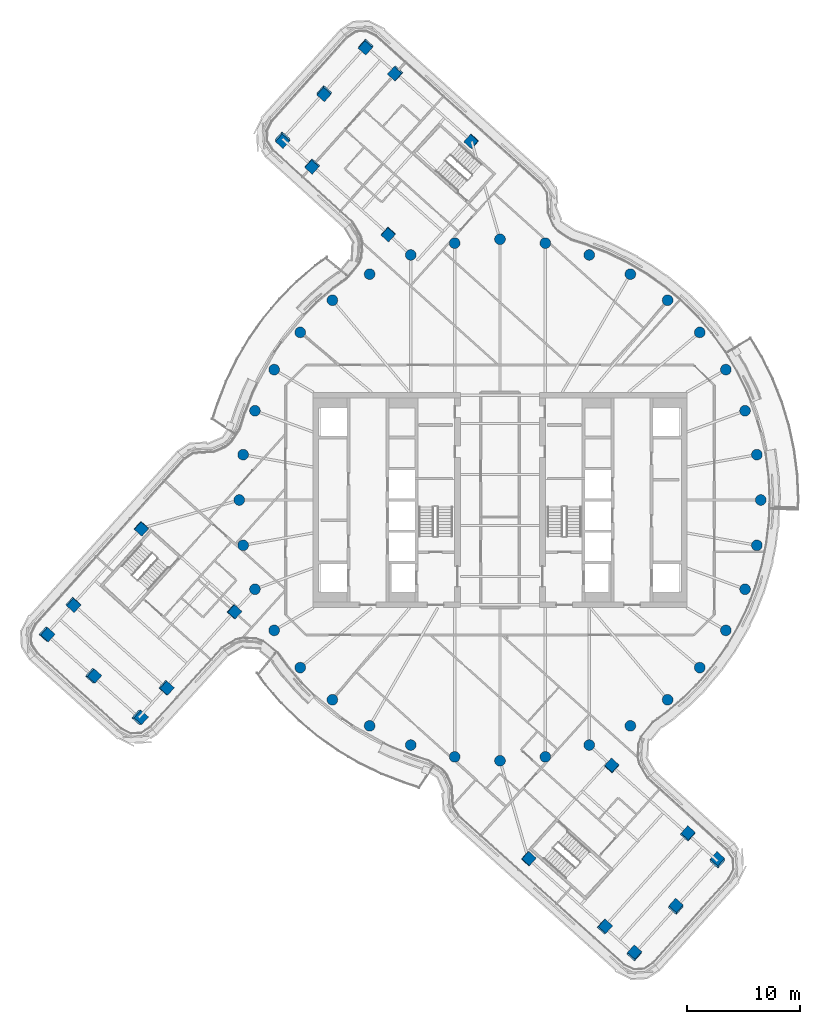
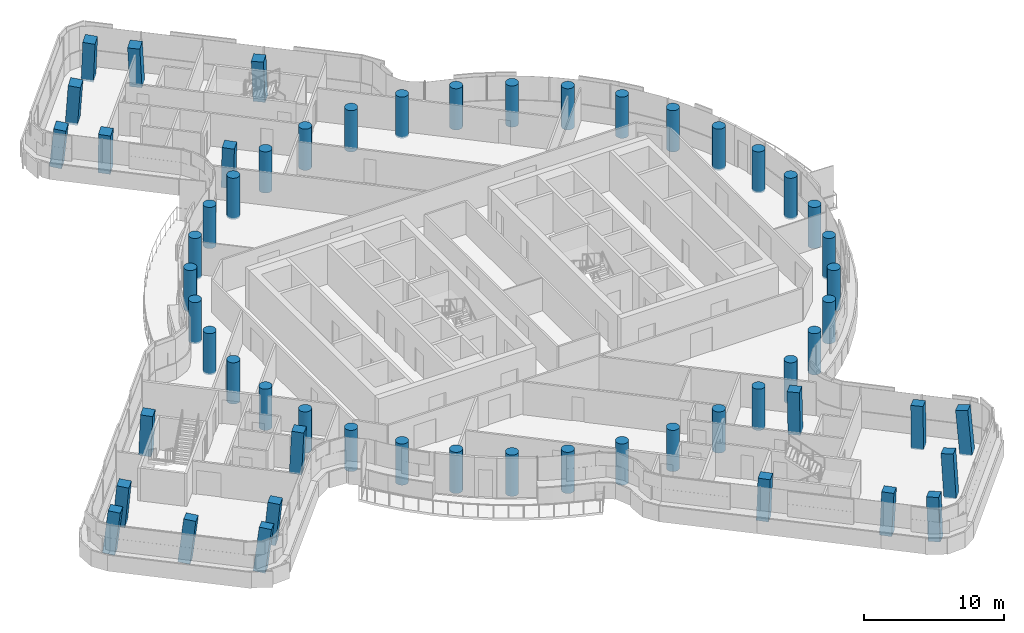
# One storey, part 1 of 31: 57 columns.
"""IFC4 building model written with IfcOpenShell, lengths in metres."""

from ifc_helpers import new_model, si_unit, direction, frame, origin, origin_2d, place, context, subcontext, project, spatial, rectangle, circle, extrude, material, material_profile, profile_set, type_object, element, save


model = new_model("IFC4")

# Units and contexts
model_context = context("Model", 3, precision=1e-05, world=origin(), true_north=direction((0.0, 1.0)))
body_context = subcontext(model_context, "Body", "Model", "MODEL_VIEW")
ifc_project = project(units=[si_unit("LENGTHUNIT", "METRE"), si_unit("AREAUNIT", "SQUARE_METRE"), si_unit("VOLUMEUNIT", "CUBIC_METRE"), si_unit("PLANEANGLEUNIT", "RADIAN"), si_unit("MASSUNIT", "GRAM", prefix="KILO")], contexts=[model_context])

# Site, building, storey
site_placement = place(None, origin())
site = spatial("IfcSite", under=ifc_project, at=site_placement, CompositionType="ELEMENT")
building_placement = place(site_placement, origin())
building = spatial("IfcBuilding", under=site, at=building_placement, Name="Tamarind Cross Interchange Tower", CompositionType="ELEMENT")
storey_placement = place(building_placement, frame((0.0, 0.0, 207.699951171875)))
storey = spatial("IfcBuildingStorey", under=building, at=storey_placement, Name="L52", CompositionType="ELEMENT", Elevation=207.699951171875)

# Columns
ifc_material = material(Name="Concrete C55", Category="concrete")
ifc_material_profile_1 = material_profile(ifc_material, rectangle(XDim=0.89990234375, YDim=0.89990234375, at=origin_2d()), Name="RC 900x900")
ifc_profile_set_1 = profile_set([ifc_material_profile_1], Name="Concrete C55")
column_type_1 = type_object("IfcColumnType", Name="Column RC 900x900 Concrete C55", PredefinedType="COLUMN", material=ifc_profile_set_1)
for number, where, z_axis, x_axis, name in (
    (1, (-16.544677734375, 29.470947265625, -0.138427734375), (-0.036894080952, -0.083794490133, 0.995799834412), (0.666515072004, 0.740397972357, 0.08699713398), "Column L52-043"),
    (2, (-9.19287109375, 37.6533203125, -0.138427734375), (-0.078553067005, -0.047036541855, 0.995799668304), (0.742395764095, -0.669419584248, 0.02694345335), "Column L52-044"),
):
    element("IfcColumn", number, at=place(storey_placement, frame(where, z_axis=z_axis, x_axis=x_axis)), inside=storey, type_object=column_type_1, Name=name, PredefinedType="COLUMN", context=body_context, shape_type="SweptSolid", body=[
        extrude(rectangle(XDim=0.89990234375, YDim=0.89990234375, at=origin_2d()), origin(), (0.0, 0.0, 1.0), 3.586669921875),
    ])
for number, where, z_axis, x_axis, name in (
    (3, (-9.849853515625, 23.4560546875, -0.138671875), (-0.006913509496, -0.049885715582, 0.998731004209), (0.668247415628, 0.742767998212, 0.04172639858), "Column L52-045"),
    (4, (-2.498291015625, 31.638427734375, -0.138671875), (-0.048597990052, -0.013081467336, 0.998732752329), (0.743338214938, -0.668353676612, 0.027416439805), "Column L52-046"),
):
    element("IfcColumn", number, at=place(storey_placement, frame(where, z_axis=z_axis, x_axis=x_axis)), inside=storey, type_object=column_type_1, Name=name, PredefinedType="COLUMN", context=body_context, shape_type="SweptSolid", body=[
        extrude(rectangle(XDim=0.89990234375, YDim=0.89990234375, at=origin_2d()), origin(), (0.0, 0.0, 1.0), 3.60205078125),
    ])
column_1_placement = place(storey_placement, frame((-11.835205078125, 40.02734375, -0.137939453125), z_axis=(-0.028991677275, -0.113337231393, 0.993133502923), x_axis=(0.666883770488, 0.737913736638, 0.103679091147)))
element("IfcColumn", 5, at=column_1_placement, inside=storey, type_object=column_type_1, Name="Column L52-047", PredefinedType="COLUMN", context=body_context, shape_type="SweptSolid", body=[
    extrude(rectangle(XDim=0.89990234375, YDim=0.89990234375, at=origin_2d()), origin(), (0.0, 0.0, 1.0), 3.62109375),
])
column_2_placement = place(storey_placement, frame((-15.510986328125, 35.93603515625, -0.137939453125), z_axis=(-0.008210907325, -0.131374517201, 0.991298803203), x_axis=(0.667883508516, 0.737074166759, 0.103214784544)))
element("IfcColumn", 6, at=column_2_placement, inside=storey, type_object=column_type_1, Name="Column L52-048", PredefinedType="COLUMN", context=body_context, shape_type="SweptSolid", body=[
    extrude(rectangle(XDim=0.89990234375, YDim=0.89990234375, at=origin_2d()), origin(), (0.0, 0.0, 1.0), 3.62744140625),
])
column_3_placement = place(storey_placement, frame((-19.186767578125, 31.8447265625, -0.1376953125), z_axis=(0.012420290431, -0.149244895292, 0.988722255042), x_axis=(0.669170568442, 0.73597956972, 0.102687989973)))
element("IfcColumn", 7, at=column_3_placement, inside=storey, type_object=column_type_1, Name="Column L52-049", PredefinedType="COLUMN", context=body_context, shape_type="SweptSolid", body=[
    extrude(rectangle(XDim=0.89990234375, YDim=0.89990234375, at=origin_2d()), origin(), (0.0, 0.0, 1.0), 3.636474609375),
])
for number, where, z_axis, x_axis, name in (
    (8, (-29.470947265625, -16.544677734375, -0.138427734375), (0.083794490133, -0.036894080952, 0.995799834412), (-0.740397972357, 0.666515072004, 0.08699713398), "Column L52-050"),
    (9, (-37.6533203125, -9.19287109375, -0.138427734375), (0.047036541855, -0.078553067005, 0.995799668304), (0.669419584248, 0.742395764095, 0.02694345335), "Column L52-051"),
):
    element("IfcColumn", number, at=place(storey_placement, frame(where, z_axis=z_axis, x_axis=x_axis)), inside=storey, type_object=column_type_1, Name=name, PredefinedType="COLUMN", context=body_context, shape_type="SweptSolid", body=[
        extrude(rectangle(XDim=0.89990234375, YDim=0.89990234375, at=origin_2d()), origin(), (0.0, 0.0, 1.0), 3.586669921875),
    ])
for number, where, z_axis, x_axis, name in (
    (10, (-23.4560546875, -9.849853515625, -0.138671875), (0.049885715582, -0.006913509496, 0.998731004209), (-0.742767998212, 0.668247415628, 0.04172639858), "Column L52-052"),
    (11, (-31.638427734375, -2.498291015625, -0.138671875), (0.013081467336, -0.048597990052, 0.998732752329), (0.668353676612, 0.743338214938, 0.027416439805), "Column L52-053"),
):
    element("IfcColumn", number, at=place(storey_placement, frame(where, z_axis=z_axis, x_axis=x_axis)), inside=storey, type_object=column_type_1, Name=name, PredefinedType="COLUMN", context=body_context, shape_type="SweptSolid", body=[
        extrude(rectangle(XDim=0.89990234375, YDim=0.89990234375, at=origin_2d()), origin(), (0.0, 0.0, 1.0), 3.60205078125),
    ])
column_4_placement = place(storey_placement, frame((-40.02734375, -11.835205078125, -0.137939453125), z_axis=(0.113337231393, -0.028991677275, 0.993133502923), x_axis=(-0.737913736638, 0.666883770488, 0.103679091147)))
element("IfcColumn", 12, at=column_4_placement, inside=storey, type_object=column_type_1, Name="Column L52-054", PredefinedType="COLUMN", context=body_context, shape_type="SweptSolid", body=[
    extrude(rectangle(XDim=0.89990234375, YDim=0.89990234375, at=origin_2d()), origin(), (0.0, 0.0, 1.0), 3.62109375),
])
column_5_placement = place(storey_placement, frame((-35.93603515625, -15.510986328125, -0.137939453125), z_axis=(0.131374517201, -0.008210907325, 0.991298803203), x_axis=(-0.737074166759, 0.667883508516, 0.103214784544)))
element("IfcColumn", 13, at=column_5_placement, inside=storey, type_object=column_type_1, Name="Column L52-055", PredefinedType="COLUMN", context=body_context, shape_type="SweptSolid", body=[
    extrude(rectangle(XDim=0.89990234375, YDim=0.89990234375, at=origin_2d()), origin(), (0.0, 0.0, 1.0), 3.62744140625),
])
column_6_placement = place(storey_placement, frame((-31.8447265625, -19.186767578125, -0.1376953125), z_axis=(0.149244895292, 0.012420290431, 0.988722255042), x_axis=(-0.73597956972, 0.669170568442, 0.102687989973)))
element("IfcColumn", 14, at=column_6_placement, inside=storey, type_object=column_type_1, Name="Column L52-056", PredefinedType="COLUMN", context=body_context, shape_type="SweptSolid", body=[
    extrude(rectangle(XDim=0.89990234375, YDim=0.89990234375, at=origin_2d()), origin(), (0.0, 0.0, 1.0), 3.636474609375),
])
for number, where, z_axis, x_axis, name in (
    (15, (16.544677734375, -29.470947265625, -0.138427734375), (0.036894080952, 0.083794490133, 0.995799834412), (-0.666515072004, -0.740397972357, 0.08699713398), "Column L52-057"),
    (16, (9.19287109375, -37.6533203125, -0.138427734375), (0.078553067005, 0.047036541855, 0.995799668304), (-0.742395764095, 0.669419584248, 0.02694345335), "Column L52-058"),
):
    element("IfcColumn", number, at=place(storey_placement, frame(where, z_axis=z_axis, x_axis=x_axis)), inside=storey, type_object=column_type_1, Name=name, PredefinedType="COLUMN", context=body_context, shape_type="SweptSolid", body=[
        extrude(rectangle(XDim=0.89990234375, YDim=0.89990234375, at=origin_2d()), origin(), (0.0, 0.0, 1.0), 3.586669921875),
    ])
for number, where, z_axis, x_axis, name in (
    (17, (9.849853515625, -23.4560546875, -0.138671875), (0.006913509496, 0.049885715582, 0.998731004209), (-0.668247415628, -0.742767998212, 0.04172639858), "Column L52-059"),
    (18, (2.498291015625, -31.638427734375, -0.138671875), (0.048597990052, 0.013081467336, 0.998732752329), (-0.743338214938, 0.668353676612, 0.027416439805), "Column L52-060"),
):
    element("IfcColumn", number, at=place(storey_placement, frame(where, z_axis=z_axis, x_axis=x_axis)), inside=storey, type_object=column_type_1, Name=name, PredefinedType="COLUMN", context=body_context, shape_type="SweptSolid", body=[
        extrude(rectangle(XDim=0.89990234375, YDim=0.89990234375, at=origin_2d()), origin(), (0.0, 0.0, 1.0), 3.60205078125),
    ])
column_7_placement = place(storey_placement, frame((11.835205078125, -40.02734375, -0.137939453125), z_axis=(0.028991677275, 0.113337231393, 0.993133502923), x_axis=(-0.666883770488, -0.737913736638, 0.103679091147)))
element("IfcColumn", 19, at=column_7_placement, inside=storey, type_object=column_type_1, Name="Column L52-061", PredefinedType="COLUMN", context=body_context, shape_type="SweptSolid", body=[
    extrude(rectangle(XDim=0.89990234375, YDim=0.89990234375, at=origin_2d()), origin(), (0.0, 0.0, 1.0), 3.62109375),
])
column_8_placement = place(storey_placement, frame((15.510986328125, -35.93603515625, -0.137939453125), z_axis=(0.008210907325, 0.131374517201, 0.991298803203), x_axis=(-0.667883508516, -0.737074166759, 0.103214784544)))
element("IfcColumn", 20, at=column_8_placement, inside=storey, type_object=column_type_1, Name="Column L52-062", PredefinedType="COLUMN", context=body_context, shape_type="SweptSolid", body=[
    extrude(rectangle(XDim=0.89990234375, YDim=0.89990234375, at=origin_2d()), origin(), (0.0, 0.0, 1.0), 3.62744140625),
])
column_9_placement = place(storey_placement, frame((19.186767578125, -31.8447265625, -0.1376953125), z_axis=(-0.012420290431, 0.149244895292, 0.988722255042), x_axis=(-0.669170568442, -0.73597956972, 0.102687989973)))
element("IfcColumn", 21, at=column_9_placement, inside=storey, type_object=column_type_1, Name="Column L52-063", PredefinedType="COLUMN", context=body_context, shape_type="SweptSolid", body=[
    extrude(rectangle(XDim=0.89990234375, YDim=0.89990234375, at=origin_2d()), origin(), (0.0, 0.0, 1.0), 3.636474609375),
])
ifc_material_profile_2 = material_profile(ifc_material, circle(Radius=0.47509765625, at=origin_2d()), Name="RC D950")
ifc_profile_set_2 = profile_set([ifc_material_profile_2], Name="Concrete C55")
column_type_2 = type_object("IfcColumnType", Name="Column RC D950 Concrete C55", PredefinedType="COLUMN", material=ifc_profile_set_2)
for number, where, z_axis, x_axis, name in (
    (22, (23.0, 0.0, -0.139892578125), (0.0, 0.0, 1.0), (1.0, 0.0, 0.0), "Column L52-000"),
    (23, (22.650634765625, 3.993896484375, -0.139892578125), (0.0, 0.0, 1.0), (1.0, 0.0, 0.0), "Column L52-001"),
    (24, (21.613037109375, 7.866455078125, -0.139892578125), (0.0, 0.0, 1.0), (1.0, 0.0, 0.0), "Column L52-002"),
    (25, (19.918701171875, 11.5, -0.139892578125), (0.0, 0.0, 1.0), (1.0, 0.0, 0.0), "Column L52-003"),
    (26, (17.619140625, 14.7841796875, -0.139892578125), (0.0, 0.0, 1.0), (1.0, 0.0, 0.0), "Column L52-004"),
    (27, (14.7841796875, 17.619140625, -0.139892578125), (0.0, 0.0, 1.0), (1.0, 0.0, 0.0), "Column L52-005"),
    (28, (11.5, 19.918701171875, -0.139892578125), (0.0, 0.0, 1.0), (1.0, 0.0, 0.0), "Column L52-006"),
    (29, (7.866455078125, 21.613037109375, -0.139892578125), (0.0, 0.0, 1.0), (1.0, 0.0, 0.0), "Column L52-007"),
    (30, (3.993896484375, 22.650634765625, -0.139892578125), (0.0, 0.0, 1.0), (1.0, 0.0, 0.0), "Column L52-008"),
    (31, (0.0, 23.0, -0.139892578125), (0.0, 0.0, 1.0), (1.0, 0.0, 0.0), "Column L52-009"),
    (32, (-3.993896484375, 22.650634765625, -0.139892578125), (0.0, 0.0, 1.0), (1.0, 0.0, 0.0), "Column L52-010"),
    (33, (-7.866455078125, 21.613037109375, -0.139892578125), (0.0, 0.0, 1.0), (1.0, 0.0, 0.0), "Column L52-011"),
    (34, (-11.5, 19.918701171875, -0.139892578125), (0.0, 0.0, 1.0), (1.0, 0.0, 0.0), "Column L52-012"),
    (35, (-14.7841796875, 17.619140625, -0.139892578125), (0.0, 0.0, 1.0), (1.0, 0.0, 0.0), "Column L52-013"),
    (36, (-17.619140625, 14.7841796875, -0.139892578125), (0.0, 0.0, 1.0), (1.0, 0.0, 0.0), "Column L52-014"),
    (37, (-19.918701171875, 11.5, -0.139892578125), (0.0, 0.0, 1.0), (1.0, 0.0, 0.0), "Column L52-015"),
    (38, (-21.613037109375, 7.866455078125, -0.139892578125), (0.0, 0.0, 1.0), (1.0, 0.0, 0.0), "Column L52-016"),
    (39, (-22.650634765625, 3.993896484375, -0.139892578125), (0.0, 0.0, 1.0), (1.0, 0.0, 0.0), "Column L52-017"),
    (40, (-23.0, 0.0, -0.139892578125), (0.0, 0.0, 1.0), (1.0, 0.0, 0.0), "Column L52-018"),
    (41, (-22.650634765625, -3.993896484375, -0.139892578125), (0.0, 0.0, 1.0), (1.0, 0.0, 0.0), "Column L52-019"),
    (42, (-21.613037109375, -7.866455078125, -0.139892578125), (0.0, 0.0, 1.0), (1.0, 0.0, 0.0), "Column L52-020"),
    (43, (-19.918701171875, -11.5, -0.139892578125), (0.0, 0.0, 1.0), (1.0, 0.0, 0.0), "Column L52-021"),
    (44, (-17.619140625, -14.7841796875, -0.139892578125), (0.0, 0.0, 1.0), (1.0, 0.0, 0.0), "Column L52-022"),
    (45, (-14.7841796875, -17.619140625, -0.139892578125), (0.0, 0.0, 1.0), (1.0, 0.0, 0.0), "Column L52-023"),
    (46, (-11.5, -19.918701171875, -0.139892578125), (0.0, 0.0, 1.0), (1.0, 0.0, 0.0), "Column L52-024"),
    (47, (-7.866455078125, -21.613037109375, -0.139892578125), (0.0, 0.0, 1.0), (1.0, 0.0, 0.0), "Column L52-025"),
    (48, (-3.993896484375, -22.650634765625, -0.139892578125), (0.0, 0.0, 1.0), (1.0, 0.0, 0.0), "Column L52-026"),
    (49, (0.0, -23.0, -0.139892578125), (0.0, 0.0, 1.0), (1.0, 0.0, 0.0), "Column L52-027"),
    (50, (3.993896484375, -22.650634765625, -0.139892578125), (0.0, 0.0, 1.0), (1.0, 0.0, 0.0), "Column L52-028"),
    (51, (7.866455078125, -21.613037109375, -0.139892578125), (0.0, 0.0, 1.0), (1.0, 0.0, 0.0), "Column L52-029"),
    (52, (11.5, -19.918701171875, -0.139892578125), (0.0, 0.0, 1.0), (1.0, 0.0, 0.0), "Column L52-030"),
    (53, (14.7841796875, -17.619140625, -0.139892578125), (0.0, 0.0, 1.0), (1.0, 0.0, 0.0), "Column L52-031"),
    (54, (17.619140625, -14.7841796875, -0.139892578125), (0.0, 0.0, 1.0), (1.0, 0.0, 0.0), "Column L52-032"),
    (55, (19.918701171875, -11.5, -0.139892578125), (0.0, 0.0, 1.0), (1.0, 0.0, 0.0), "Column L52-033"),
    (56, (21.613037109375, -7.866455078125, -0.139892578125), (0.0, 0.0, 1.0), (1.0, 0.0, 0.0), "Column L52-034"),
    (57, (22.650634765625, -3.993896484375, -0.139892578125), (0.0, 0.0, 1.0), (1.0, 0.0, 0.0), "Column L52-035"),
):
    element("IfcColumn", number, at=place(storey_placement, frame(where, z_axis=z_axis, x_axis=x_axis)), inside=storey, type_object=column_type_2, Name=name, PredefinedType="COLUMN", context=body_context, shape_type="SweptSolid", body=[
        extrude(circle(Radius=0.47509765625, at=origin_2d()), origin(), (0.0, 0.0, 1.0), 3.599853515625),
    ])

save(model, "model.ifc")
